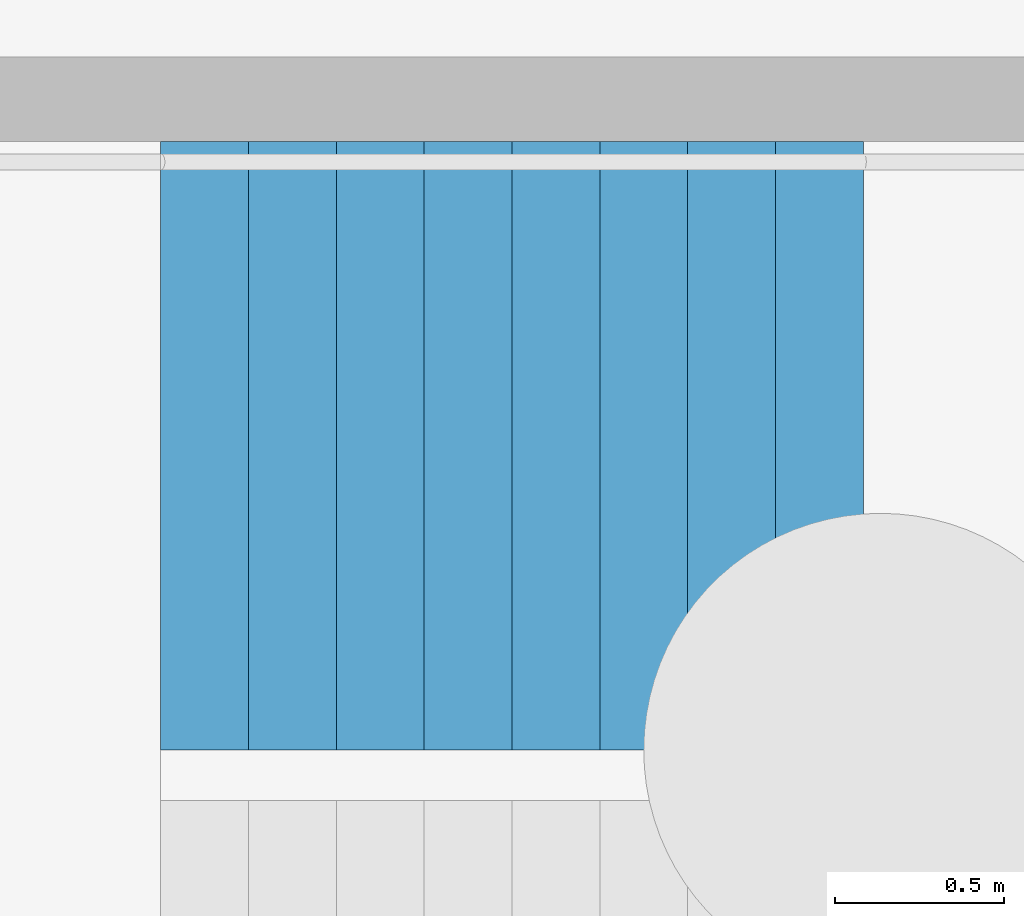
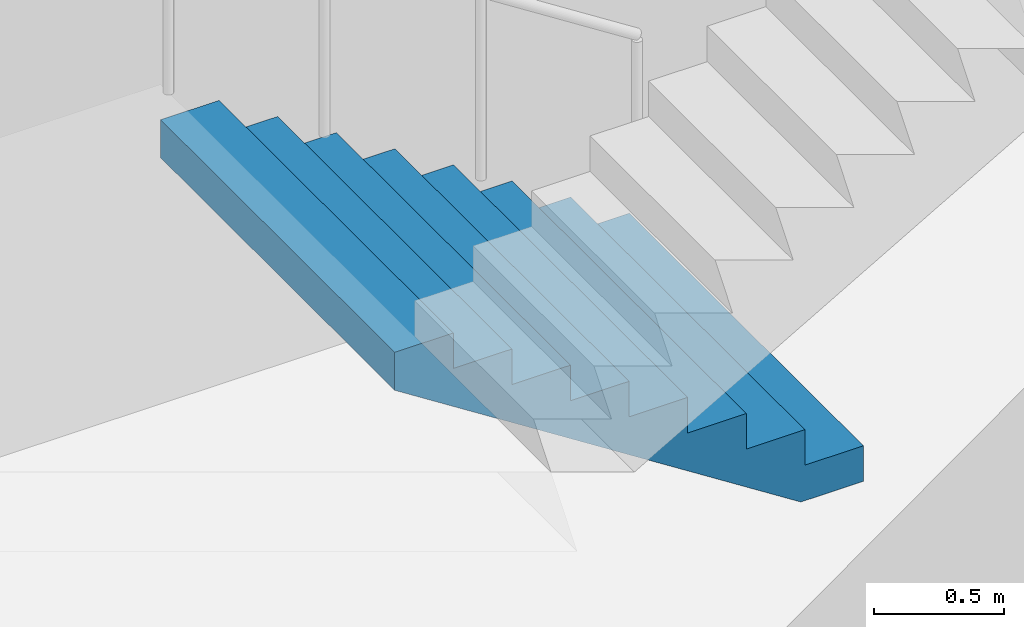
# One storey, part 55 of 113: 1 stair flight, 1 element without a shape of its own.
"""IFC4 building model written with IfcOpenShell, lengths in metres."""

from ifc_helpers import new_model, si_unit, direction, frame, origin, place, context, subcontext, project, spatial, triangles, material, type_object, element, aggregate, save


model = new_model("IFC4")

# Units and contexts
model_context = context("Model", 3, precision=1e-05, world=origin(), true_north=direction((0.0, 1.0)))
body_context = subcontext(model_context, "Body", "Model", "MODEL_VIEW")
ifc_project = project(units=[si_unit("LENGTHUNIT", "METRE"), si_unit("AREAUNIT", "SQUARE_METRE"), si_unit("VOLUMEUNIT", "CUBIC_METRE"), si_unit("PLANEANGLEUNIT", "RADIAN"), si_unit("MASSUNIT", "GRAM", prefix="KILO")], contexts=[model_context])

# Site, building, storey
site_placement = place(None, origin())
site = spatial("IfcSite", under=ifc_project, at=site_placement, CompositionType="ELEMENT")
building_placement = place(site_placement, origin())
building = spatial("IfcBuilding", under=site, at=building_placement, Name="Hakoniwa Tower and Hamabe Station Hall", CompositionType="ELEMENT")
storey_placement = place(building_placement, origin())
storey = spatial("IfcBuildingStorey", under=building, at=storey_placement, Name="L01", CompositionType="ELEMENT", Elevation=0.0)

# Stair, stair flight
ifc_material_1 = material(Name="Concrete C40", Category="concrete")
stair_type = type_object("IfcStairType", Name="ESCAPE STAIR 1800", PredefinedType="HALF_TURN_STAIR", material=ifc_material_1)
stair_placement = place(storey_placement, origin())
stair = element("IfcStair", 1, at=stair_placement, inside=storey, type_object=stair_type, Name="Escape stair ST-2 L01", PredefinedType="HALF_TURN_STAIR")
ifc_material_2 = material(Name="Concrete C40", Category="concrete")
stair_flight_type = type_object("IfcStairFlightType", Name="STAIR FLIGHT 1800", PredefinedType="STRAIGHT", material=ifc_material_2)
stair_flight_placement = place(storey_placement, frame((-23.39990234375, -4.64990234375, 0.0), z_axis=(0.0, 0.0, 1.0), x_axis=(-1.0, 0.0, 0.0)))
stair_flight = element("IfcStairFlight", 2, at=stair_flight_placement, type_object=stair_flight_type, Name="ST-2 flight 1", NumberOfRisers=9, NumberOfTreads=8, PredefinedType="STRAIGHT", RiserHeight=0.166666667, TreadLength=0.26, context=body_context, shape_type="Tessellation", body=[
    triangles([(0.0, 0.89990234375, 0.0), (0.260009765625, 0.89990234375, 0.0), (0.27783203125, 0.89990234375, 0.0), (0.52001953125, 0.89990234375, 0.1552734375), (0.780029296875, 0.89990234375, 0.322021484375), (1.0400390625, 0.89990234375, 0.488525390625), (1.300048828125, 0.89990234375, 0.6552734375), (1.56005859375, 0.89990234375, 0.822021484375), (1.820068359375, 0.89990234375, 0.988525390625), (2.080078125, 0.89990234375, 1.1552734375), (2.080078125, 0.89990234375, 1.333251953125), (1.820068359375, 0.89990234375, 1.333251953125), (1.820068359375, 0.89990234375, 1.166748046875), (1.56005859375, 0.89990234375, 1.166748046875), (1.56005859375, 0.89990234375, 1.0), (1.300048828125, 0.89990234375, 1.0), (1.300048828125, 0.89990234375, 0.833251953125), (1.0400390625, 0.89990234375, 0.833251953125), (1.0400390625, 0.89990234375, 0.666748046875), (0.780029296875, 0.89990234375, 0.666748046875), (0.780029296875, 0.89990234375, 0.5), (0.52001953125, 0.89990234375, 0.5), (0.52001953125, 0.89990234375, 0.333251953125), (0.27783203125, 0.89990234375, 0.333251953125), (0.260009765625, 0.89990234375, 0.333251953125), (0.260009765625, 0.89990234375, 0.166748046875), (0.0, 0.89990234375, 0.166748046875), (0.0, 0.06005859375, 0.0), (0.260009765625, 0.06005859375, 0.0), (0.27783203125, 0.06005859375, 0.0), (0.52001953125, 0.06005859375, 0.1552734375), (0.780029296875, 0.06005859375, 0.322021484375), (1.0400390625, 0.06005859375, 0.488525390625), (1.300048828125, 0.06005859375, 0.6552734375), (1.56005859375, 0.06005859375, 0.822021484375), (1.820068359375, 0.06005859375, 0.988525390625), (2.080078125, 0.06005859375, 1.1552734375), (2.080078125, 0.06005859375, 1.333251953125), (1.820068359375, 0.06005859375, 1.333251953125), (1.820068359375, 0.06005859375, 1.166748046875), (1.56005859375, 0.06005859375, 1.166748046875), (1.56005859375, 0.06005859375, 1.0), (1.300048828125, 0.06005859375, 1.0), (1.300048828125, 0.06005859375, 0.833251953125), (1.0400390625, 0.06005859375, 0.833251953125), (1.0400390625, 0.06005859375, 0.666748046875), (0.780029296875, 0.06005859375, 0.666748046875), (0.780029296875, 0.06005859375, 0.5), (0.52001953125, 0.06005859375, 0.5), (0.52001953125, 0.06005859375, 0.333251953125), (0.27783203125, 0.06005859375, 0.333251953125), (0.260009765625, 0.06005859375, 0.333251953125), (0.260009765625, 0.06005859375, 0.166748046875), (0.0, 0.06005859375, 0.166748046875), (0.0, 0.04296875, 0.0), (0.260009765625, 0.04296875, 0.0), (0.27783203125, 0.04296875, 0.0), (0.52001953125, 0.04296875, 0.1552734375), (0.780029296875, 0.04296875, 0.322021484375), (1.0400390625, 0.04296875, 0.488525390625), (1.300048828125, 0.04296875, 0.6552734375), (1.56005859375, 0.04296875, 0.822021484375), (1.820068359375, 0.04296875, 0.988525390625), (2.080078125, 0.04296875, 1.1552734375), (2.080078125, 0.04296875, 1.333251953125), (1.820068359375, 0.04296875, 1.333251953125), (1.820068359375, 0.04296875, 1.166748046875), (1.56005859375, 0.04296875, 1.166748046875), (1.56005859375, 0.04296875, 1.0), (1.300048828125, 0.04296875, 1.0), (1.300048828125, 0.04296875, 0.833251953125), (1.0400390625, 0.04296875, 0.833251953125), (1.0400390625, 0.04296875, 0.666748046875), (0.780029296875, 0.04296875, 0.666748046875), (0.780029296875, 0.04296875, 0.5), (0.52001953125, 0.04296875, 0.5), (0.52001953125, 0.04296875, 0.333251953125), (0.27783203125, 0.04296875, 0.333251953125), (0.260009765625, 0.04296875, 0.333251953125), (0.260009765625, 0.04296875, 0.166748046875), (0.0, 0.04296875, 0.166748046875), (0.0, 0.025634765625, 0.0), (0.260009765625, 0.025634765625, 0.0), (0.27783203125, 0.025634765625, 0.0), (0.52001953125, 0.025634765625, 0.1552734375), (0.780029296875, 0.025634765625, 0.322021484375), (1.0400390625, 0.025634765625, 0.488525390625), (1.300048828125, 0.025634765625, 0.6552734375), (1.56005859375, 0.025634765625, 0.822021484375), (1.820068359375, 0.025634765625, 0.988525390625), (2.080078125, 0.025634765625, 1.1552734375), (2.080078125, 0.025634765625, 1.333251953125), (1.820068359375, 0.025634765625, 1.333251953125), (1.820068359375, 0.025634765625, 1.166748046875), (1.56005859375, 0.025634765625, 1.166748046875), (1.56005859375, 0.025634765625, 1.0), (1.300048828125, 0.025634765625, 1.0), (1.300048828125, 0.025634765625, 0.833251953125), (1.0400390625, 0.025634765625, 0.833251953125), (1.0400390625, 0.025634765625, 0.666748046875), (0.780029296875, 0.025634765625, 0.666748046875), (0.780029296875, 0.025634765625, 0.5), (0.52001953125, 0.025634765625, 0.5), (0.52001953125, 0.025634765625, 0.333251953125), (0.27783203125, 0.025634765625, 0.333251953125), (0.260009765625, 0.025634765625, 0.333251953125), (0.260009765625, 0.025634765625, 0.166748046875), (0.0, 0.025634765625, 0.166748046875), (0.0, 0.008544921875, 0.0), (0.260009765625, 0.008544921875, 0.0), (0.27783203125, 0.008544921875, 0.0), (0.52001953125, 0.008544921875, 0.1552734375), (0.780029296875, 0.008544921875, 0.322021484375), (1.0400390625, 0.008544921875, 0.488525390625), (1.300048828125, 0.008544921875, 0.6552734375), (1.56005859375, 0.008544921875, 0.822021484375), (1.820068359375, 0.008544921875, 0.988525390625), (2.080078125, 0.008544921875, 1.1552734375), (2.080078125, 0.008544921875, 1.333251953125), (1.820068359375, 0.008544921875, 1.333251953125), (1.820068359375, 0.008544921875, 1.166748046875), (1.56005859375, 0.008544921875, 1.166748046875), (1.56005859375, 0.008544921875, 1.0), (1.300048828125, 0.008544921875, 1.0), (1.300048828125, 0.008544921875, 0.833251953125), (1.0400390625, 0.008544921875, 0.833251953125), (1.0400390625, 0.008544921875, 0.666748046875), (0.780029296875, 0.008544921875, 0.666748046875), (0.780029296875, 0.008544921875, 0.5), (0.52001953125, 0.008544921875, 0.5), (0.52001953125, 0.008544921875, 0.333251953125), (0.27783203125, 0.008544921875, 0.333251953125), (0.260009765625, 0.008544921875, 0.333251953125), (0.260009765625, 0.008544921875, 0.166748046875), (0.0, 0.008544921875, 0.166748046875), (0.0, -0.008544921875, 0.0), (0.260009765625, -0.008544921875, 0.0), (0.27783203125, -0.008544921875, 0.0), (0.52001953125, -0.008544921875, 0.1552734375), (0.780029296875, -0.008544921875, 0.322021484375), (1.0400390625, -0.008544921875, 0.488525390625), (1.300048828125, -0.008544921875, 0.6552734375), (1.56005859375, -0.008544921875, 0.822021484375), (1.820068359375, -0.008544921875, 0.988525390625), (2.080078125, -0.008544921875, 1.1552734375), (2.080078125, -0.008544921875, 1.333251953125), (1.820068359375, -0.008544921875, 1.333251953125), (1.820068359375, -0.008544921875, 1.166748046875), (1.56005859375, -0.008544921875, 1.166748046875), (1.56005859375, -0.008544921875, 1.0), (1.300048828125, -0.008544921875, 1.0), (1.300048828125, -0.008544921875, 0.833251953125), (1.0400390625, -0.008544921875, 0.833251953125), (1.0400390625, -0.008544921875, 0.666748046875), (0.780029296875, -0.008544921875, 0.666748046875), (0.780029296875, -0.008544921875, 0.5), (0.52001953125, -0.008544921875, 0.5), (0.52001953125, -0.008544921875, 0.333251953125), (0.27783203125, -0.008544921875, 0.333251953125), (0.260009765625, -0.008544921875, 0.333251953125), (0.260009765625, -0.008544921875, 0.166748046875), (0.0, -0.008544921875, 0.166748046875), (0.0, -0.025634765625, 0.0), (0.260009765625, -0.025634765625, 0.0), (0.27783203125, -0.025634765625, 0.0), (0.52001953125, -0.025634765625, 0.1552734375), (0.780029296875, -0.025634765625, 0.322021484375), (1.0400390625, -0.025634765625, 0.488525390625), (1.300048828125, -0.025634765625, 0.6552734375), (1.56005859375, -0.025634765625, 0.822021484375), (1.820068359375, -0.025634765625, 0.988525390625), (2.080078125, -0.025634765625, 1.1552734375), (2.080078125, -0.025634765625, 1.333251953125), (1.820068359375, -0.025634765625, 1.333251953125), (1.820068359375, -0.025634765625, 1.166748046875), (1.56005859375, -0.025634765625, 1.166748046875), (1.56005859375, -0.025634765625, 1.0), (1.300048828125, -0.025634765625, 1.0), (1.300048828125, -0.025634765625, 0.833251953125), (1.0400390625, -0.025634765625, 0.833251953125), (1.0400390625, -0.025634765625, 0.666748046875), (0.780029296875, -0.025634765625, 0.666748046875), (0.780029296875, -0.025634765625, 0.5), (0.52001953125, -0.025634765625, 0.5), (0.52001953125, -0.025634765625, 0.333251953125), (0.27783203125, -0.025634765625, 0.333251953125), (0.260009765625, -0.025634765625, 0.333251953125), (0.260009765625, -0.025634765625, 0.166748046875), (0.0, -0.025634765625, 0.166748046875), (0.0, -0.04296875, 0.0), (0.260009765625, -0.04296875, 0.0), (0.27783203125, -0.04296875, 0.0), (0.52001953125, -0.04296875, 0.1552734375), (0.780029296875, -0.04296875, 0.322021484375), (1.0400390625, -0.04296875, 0.488525390625), (1.300048828125, -0.04296875, 0.6552734375), (1.56005859375, -0.04296875, 0.822021484375), (1.820068359375, -0.04296875, 0.988525390625), (2.080078125, -0.04296875, 1.1552734375), (2.080078125, -0.04296875, 1.333251953125), (1.820068359375, -0.04296875, 1.333251953125), (1.820068359375, -0.04296875, 1.166748046875), (1.56005859375, -0.04296875, 1.166748046875), (1.56005859375, -0.04296875, 1.0), (1.300048828125, -0.04296875, 1.0), (1.300048828125, -0.04296875, 0.833251953125), (1.0400390625, -0.04296875, 0.833251953125), (1.0400390625, -0.04296875, 0.666748046875), (0.780029296875, -0.04296875, 0.666748046875), (0.780029296875, -0.04296875, 0.5), (0.52001953125, -0.04296875, 0.5), (0.52001953125, -0.04296875, 0.333251953125), (0.27783203125, -0.04296875, 0.333251953125), (0.260009765625, -0.04296875, 0.333251953125), (0.260009765625, -0.04296875, 0.166748046875), (0.0, -0.04296875, 0.166748046875), (0.0, -0.06005859375, 0.0), (0.260009765625, -0.06005859375, 0.0), (0.27783203125, -0.06005859375, 0.0), (0.52001953125, -0.06005859375, 0.1552734375), (0.780029296875, -0.06005859375, 0.322021484375), (1.0400390625, -0.06005859375, 0.488525390625), (1.300048828125, -0.06005859375, 0.6552734375), (1.56005859375, -0.06005859375, 0.822021484375), (1.820068359375, -0.06005859375, 0.988525390625), (2.080078125, -0.06005859375, 1.1552734375), (2.080078125, -0.06005859375, 1.333251953125), (1.820068359375, -0.06005859375, 1.333251953125), (1.820068359375, -0.06005859375, 1.166748046875), (1.56005859375, -0.06005859375, 1.166748046875), (1.56005859375, -0.06005859375, 1.0), (1.300048828125, -0.06005859375, 1.0), (1.300048828125, -0.06005859375, 0.833251953125), (1.0400390625, -0.06005859375, 0.833251953125), (1.0400390625, -0.06005859375, 0.666748046875), (0.780029296875, -0.06005859375, 0.666748046875), (0.780029296875, -0.06005859375, 0.5), (0.52001953125, -0.06005859375, 0.5), (0.52001953125, -0.06005859375, 0.333251953125), (0.27783203125, -0.06005859375, 0.333251953125), (0.260009765625, -0.06005859375, 0.333251953125), (0.260009765625, -0.06005859375, 0.166748046875), (0.0, -0.06005859375, 0.166748046875), (0.0, -0.89990234375, 0.0), (0.260009765625, -0.89990234375, 0.0), (0.27783203125, -0.89990234375, 0.0), (0.52001953125, -0.89990234375, 0.1552734375), (0.780029296875, -0.89990234375, 0.322021484375), (1.0400390625, -0.89990234375, 0.488525390625), (1.300048828125, -0.89990234375, 0.6552734375), (1.56005859375, -0.89990234375, 0.822021484375), (1.820068359375, -0.89990234375, 0.988525390625), (2.080078125, -0.89990234375, 1.1552734375), (2.080078125, -0.89990234375, 1.333251953125), (1.820068359375, -0.89990234375, 1.333251953125), (1.820068359375, -0.89990234375, 1.166748046875), (1.56005859375, -0.89990234375, 1.166748046875), (1.56005859375, -0.89990234375, 1.0), (1.300048828125, -0.89990234375, 1.0), (1.300048828125, -0.89990234375, 0.833251953125), (1.0400390625, -0.89990234375, 0.833251953125), (1.0400390625, -0.89990234375, 0.666748046875), (0.780029296875, -0.89990234375, 0.666748046875), (0.780029296875, -0.89990234375, 0.5), (0.52001953125, -0.89990234375, 0.5), (0.52001953125, -0.89990234375, 0.333251953125), (0.27783203125, -0.89990234375, 0.333251953125), (0.260009765625, -0.89990234375, 0.333251953125), (0.260009765625, -0.89990234375, 0.166748046875), (0.0, -0.89990234375, 0.166748046875)], [[2, 27, 26], [245, 269, 270], [2, 1, 27], [245, 270, 244], [3, 25, 24], [246, 267, 268], [3, 26, 25], [246, 268, 269], [3, 2, 26], [246, 269, 245], [4, 24, 23], [247, 266, 267], [4, 3, 24], [247, 267, 246], [5, 22, 21], [248, 264, 265], [5, 23, 22], [248, 265, 266], [5, 4, 23], [248, 266, 247], [6, 20, 19], [249, 262, 263], [6, 21, 20], [249, 263, 264], [6, 5, 21], [249, 264, 248], [7, 18, 17], [250, 260, 261], [7, 19, 18], [250, 261, 262], [7, 6, 19], [250, 262, 249], [8, 16, 15], [251, 258, 259], [8, 17, 16], [251, 259, 260], [8, 7, 17], [251, 260, 250], [9, 14, 13], [252, 256, 257], [9, 15, 14], [252, 257, 258], [9, 8, 15], [252, 258, 251], [10, 12, 11], [253, 254, 255], [10, 13, 12], [253, 255, 256], [10, 9, 13], [253, 256, 252], [1, 2, 29], [1, 29, 28], [28, 29, 56], [28, 56, 55], [55, 56, 83], [55, 83, 82], [82, 83, 110], [82, 110, 109], [109, 110, 137], [109, 137, 136], [136, 137, 164], [136, 164, 163], [163, 164, 191], [163, 191, 190], [190, 191, 218], [190, 218, 217], [217, 218, 245], [217, 245, 244], [2, 3, 30], [2, 30, 29], [29, 30, 57], [29, 57, 56], [56, 57, 84], [56, 84, 83], [83, 84, 111], [83, 111, 110], [110, 111, 138], [110, 138, 137], [137, 138, 165], [137, 165, 164], [164, 165, 192], [164, 192, 191], [191, 192, 219], [191, 219, 218], [218, 219, 246], [218, 246, 245], [3, 4, 31], [3, 31, 30], [30, 31, 58], [30, 58, 57], [57, 58, 85], [57, 85, 84], [84, 85, 112], [84, 112, 111], [111, 112, 139], [111, 139, 138], [138, 139, 166], [138, 166, 165], [165, 166, 193], [165, 193, 192], [192, 193, 220], [192, 220, 219], [219, 220, 247], [219, 247, 246], [4, 5, 32], [4, 32, 31], [31, 32, 59], [31, 59, 58], [58, 59, 86], [58, 86, 85], [85, 86, 113], [85, 113, 112], [112, 113, 140], [112, 140, 139], [139, 140, 167], [139, 167, 166], [166, 167, 194], [166, 194, 193], [193, 194, 221], [193, 221, 220], [220, 221, 248], [220, 248, 247], [5, 6, 33], [5, 33, 32], [32, 33, 60], [32, 60, 59], [59, 60, 87], [59, 87, 86], [86, 87, 114], [86, 114, 113], [113, 114, 141], [113, 141, 140], [140, 141, 168], [140, 168, 167], [167, 168, 195], [167, 195, 194], [194, 195, 222], [194, 222, 221], [221, 222, 249], [221, 249, 248], [6, 7, 34], [6, 34, 33], [33, 34, 61], [33, 61, 60], [60, 61, 88], [60, 88, 87], [87, 88, 115], [87, 115, 114], [114, 115, 142], [114, 142, 141], [141, 142, 169], [141, 169, 168], [168, 169, 196], [168, 196, 195], [195, 196, 223], [195, 223, 222], [222, 223, 250], [222, 250, 249], [7, 8, 35], [7, 35, 34], [34, 35, 62], [34, 62, 61], [61, 62, 89], [61, 89, 88], [88, 89, 116], [88, 116, 115], [115, 116, 143], [115, 143, 142], [142, 143, 170], [142, 170, 169], [169, 170, 197], [169, 197, 196], [196, 197, 224], [196, 224, 223], [223, 224, 251], [223, 251, 250], [8, 9, 36], [8, 36, 35], [35, 36, 63], [35, 63, 62], [62, 63, 90], [62, 90, 89], [89, 90, 117], [89, 117, 116], [116, 117, 144], [116, 144, 143], [143, 144, 171], [143, 171, 170], [170, 171, 198], [170, 198, 197], [197, 198, 225], [197, 225, 224], [224, 225, 252], [224, 252, 251], [9, 10, 37], [9, 37, 36], [36, 37, 64], [36, 64, 63], [63, 64, 91], [63, 91, 90], [90, 91, 118], [90, 118, 117], [117, 118, 145], [117, 145, 144], [144, 145, 172], [144, 172, 171], [171, 172, 199], [171, 199, 198], [198, 199, 226], [198, 226, 225], [225, 226, 253], [225, 253, 252], [10, 11, 38], [10, 38, 37], [37, 38, 65], [37, 65, 64], [64, 65, 92], [64, 92, 91], [91, 92, 119], [91, 119, 118], [118, 119, 146], [118, 146, 145], [145, 146, 173], [145, 173, 172], [172, 173, 200], [172, 200, 199], [199, 200, 227], [199, 227, 226], [226, 227, 254], [226, 254, 253], [11, 12, 39], [11, 39, 38], [38, 39, 66], [38, 66, 65], [65, 66, 93], [65, 93, 92], [92, 93, 120], [92, 120, 119], [119, 120, 147], [119, 147, 146], [146, 147, 174], [146, 174, 173], [173, 174, 201], [173, 201, 200], [200, 201, 228], [200, 228, 227], [227, 228, 255], [227, 255, 254], [12, 13, 40], [12, 40, 39], [39, 40, 67], [39, 67, 66], [66, 67, 94], [66, 94, 93], [93, 94, 121], [93, 121, 120], [120, 121, 148], [120, 148, 147], [147, 148, 175], [147, 175, 174], [174, 175, 202], [174, 202, 201], [201, 202, 229], [201, 229, 228], [228, 229, 256], [228, 256, 255], [13, 14, 41], [13, 41, 40], [40, 41, 68], [40, 68, 67], [67, 68, 95], [67, 95, 94], [94, 95, 122], [94, 122, 121], [121, 122, 149], [121, 149, 148], [148, 149, 176], [148, 176, 175], [175, 176, 203], [175, 203, 202], [202, 203, 230], [202, 230, 229], [229, 230, 257], [229, 257, 256], [14, 15, 42], [14, 42, 41], [41, 42, 69], [41, 69, 68], [68, 69, 96], [68, 96, 95], [95, 96, 123], [95, 123, 122], [122, 123, 150], [122, 150, 149], [149, 150, 177], [149, 177, 176], [176, 177, 204], [176, 204, 203], [203, 204, 231], [203, 231, 230], [230, 231, 258], [230, 258, 257], [15, 16, 43], [15, 43, 42], [42, 43, 70], [42, 70, 69], [69, 70, 97], [69, 97, 96], [96, 97, 124], [96, 124, 123], [123, 124, 151], [123, 151, 150], [150, 151, 178], [150, 178, 177], [177, 178, 205], [177, 205, 204], [204, 205, 232], [204, 232, 231], [231, 232, 259], [231, 259, 258], [16, 17, 44], [16, 44, 43], [43, 44, 71], [43, 71, 70], [70, 71, 98], [70, 98, 97], [97, 98, 125], [97, 125, 124], [124, 125, 152], [124, 152, 151], [151, 152, 179], [151, 179, 178], [178, 179, 206], [178, 206, 205], [205, 206, 233], [205, 233, 232], [232, 233, 260], [232, 260, 259], [17, 18, 45], [17, 45, 44], [44, 45, 72], [44, 72, 71], [71, 72, 99], [71, 99, 98], [98, 99, 126], [98, 126, 125], [125, 126, 153], [125, 153, 152], [152, 153, 180], [152, 180, 179], [179, 180, 207], [179, 207, 206], [206, 207, 234], [206, 234, 233], [233, 234, 261], [233, 261, 260], [18, 19, 46], [18, 46, 45], [45, 46, 73], [45, 73, 72], [72, 73, 100], [72, 100, 99], [99, 100, 127], [99, 127, 126], [126, 127, 154], [126, 154, 153], [153, 154, 181], [153, 181, 180], [180, 181, 208], [180, 208, 207], [207, 208, 235], [207, 235, 234], [234, 235, 262], [234, 262, 261], [19, 20, 47], [19, 47, 46], [46, 47, 74], [46, 74, 73], [73, 74, 101], [73, 101, 100], [100, 101, 128], [100, 128, 127], [127, 128, 155], [127, 155, 154], [154, 155, 182], [154, 182, 181], [181, 182, 209], [181, 209, 208], [208, 209, 236], [208, 236, 235], [235, 236, 263], [235, 263, 262], [20, 21, 48], [20, 48, 47], [47, 48, 75], [47, 75, 74], [74, 75, 102], [74, 102, 101], [101, 102, 129], [101, 129, 128], [128, 129, 156], [128, 156, 155], [155, 156, 183], [155, 183, 182], [182, 183, 210], [182, 210, 209], [209, 210, 237], [209, 237, 236], [236, 237, 264], [236, 264, 263], [21, 22, 49], [21, 49, 48], [48, 49, 76], [48, 76, 75], [75, 76, 103], [75, 103, 102], [102, 103, 130], [102, 130, 129], [129, 130, 157], [129, 157, 156], [156, 157, 184], [156, 184, 183], [183, 184, 211], [183, 211, 210], [210, 211, 238], [210, 238, 237], [237, 238, 265], [237, 265, 264], [22, 23, 50], [22, 50, 49], [49, 50, 77], [49, 77, 76], [76, 77, 104], [76, 104, 103], [103, 104, 131], [103, 131, 130], [130, 131, 158], [130, 158, 157], [157, 158, 185], [157, 185, 184], [184, 185, 212], [184, 212, 211], [211, 212, 239], [211, 239, 238], [238, 239, 266], [238, 266, 265], [23, 24, 51], [23, 51, 50], [50, 51, 78], [50, 78, 77], [77, 78, 105], [77, 105, 104], [104, 105, 132], [104, 132, 131], [131, 132, 159], [131, 159, 158], [158, 159, 186], [158, 186, 185], [185, 186, 213], [185, 213, 212], [212, 213, 240], [212, 240, 239], [239, 240, 267], [239, 267, 266], [24, 25, 52], [24, 52, 51], [51, 52, 79], [51, 79, 78], [78, 79, 106], [78, 106, 105], [105, 106, 133], [105, 133, 132], [132, 133, 160], [132, 160, 159], [159, 160, 187], [159, 187, 186], [186, 187, 214], [186, 214, 213], [213, 214, 241], [213, 241, 240], [240, 241, 268], [240, 268, 267], [25, 26, 53], [25, 53, 52], [52, 53, 80], [52, 80, 79], [79, 80, 107], [79, 107, 106], [106, 107, 134], [106, 134, 133], [133, 134, 161], [133, 161, 160], [160, 161, 188], [160, 188, 187], [187, 188, 215], [187, 215, 214], [214, 215, 242], [214, 242, 241], [241, 242, 269], [241, 269, 268], [26, 27, 54], [26, 54, 53], [53, 54, 81], [53, 81, 80], [80, 81, 108], [80, 108, 107], [107, 108, 135], [107, 135, 134], [134, 135, 162], [134, 162, 161], [161, 162, 189], [161, 189, 188], [188, 189, 216], [188, 216, 215], [215, 216, 243], [215, 243, 242], [242, 243, 270], [242, 270, 269], [27, 1, 28], [27, 28, 54], [54, 28, 55], [54, 55, 81], [81, 55, 82], [81, 82, 108], [108, 82, 109], [108, 109, 135], [135, 109, 136], [135, 136, 162], [162, 136, 163], [162, 163, 189], [189, 163, 190], [189, 190, 216], [216, 190, 217], [216, 217, 243], [243, 217, 244], [243, 244, 270]], closed=True),
])
aggregate(stair, [stair_flight])

save(model, "model.ifc")
